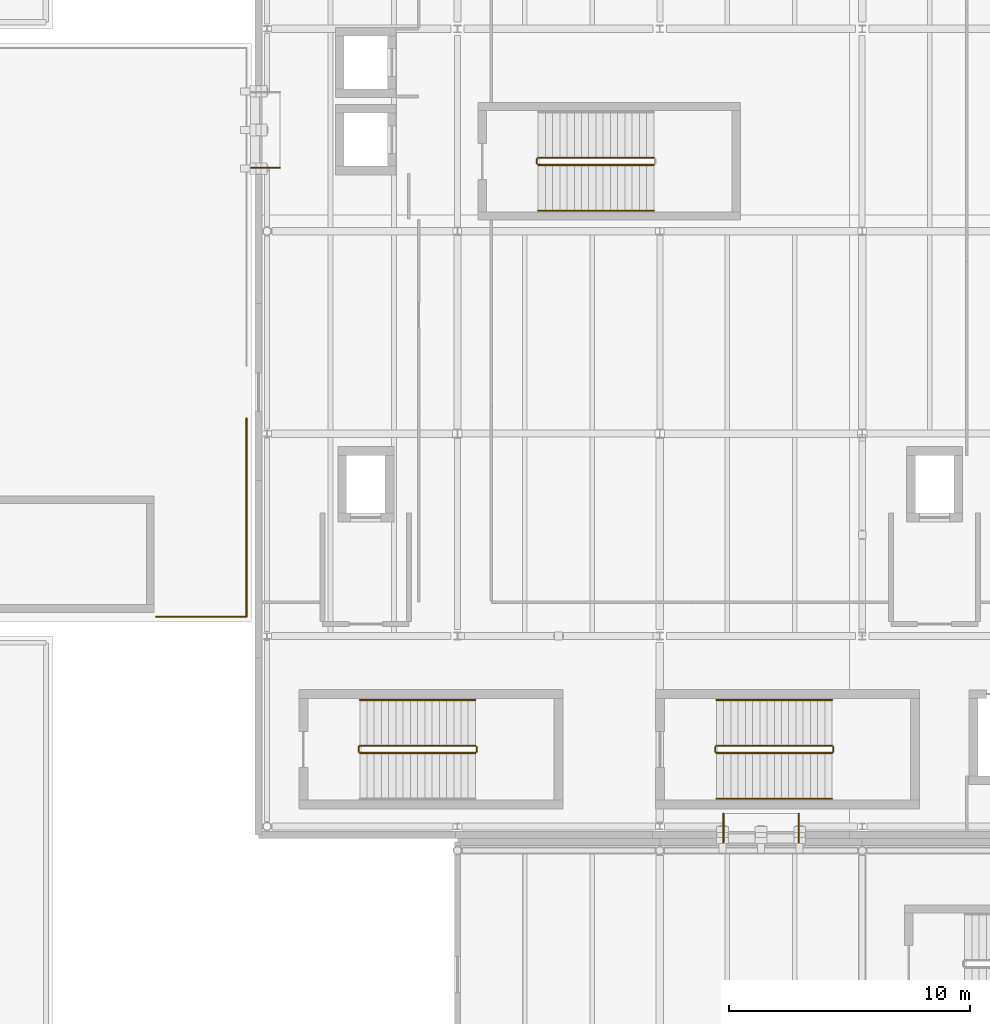
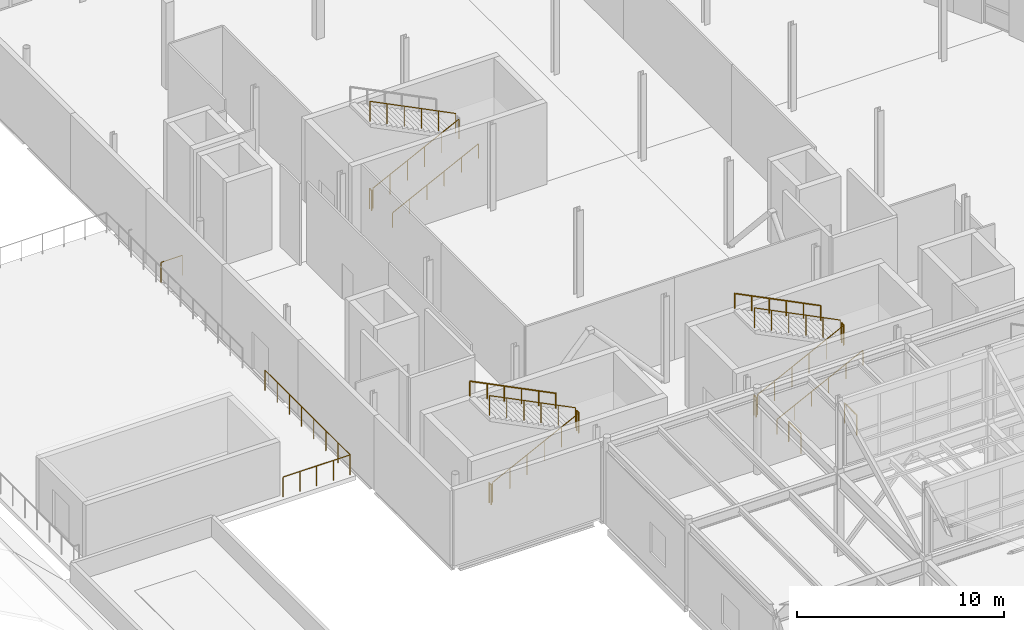
# One storey, part 84 of 91: 20 railings.
"""IFC4 building model written with IfcOpenShell, lengths in metres."""

from ifc_helpers import new_model, si_unit, direction, frame, origin, origin_2d, place, context, subcontext, project, spatial, circle, extrude, material, type_object, element, save


model = new_model("IFC4")

# Units and contexts
model_context = context("Model", 3, precision=1e-05, world=origin(), true_north=direction((0.0, 1.0)))
body_context = subcontext(model_context, "Body", "Model", "MODEL_VIEW")
ifc_project = project(units=[si_unit("LENGTHUNIT", "METRE"), si_unit("AREAUNIT", "SQUARE_METRE"), si_unit("VOLUMEUNIT", "CUBIC_METRE"), si_unit("PLANEANGLEUNIT", "RADIAN"), si_unit("MASSUNIT", "GRAM", prefix="KILO"), si_unit("THERMODYNAMICTEMPERATUREUNIT", "KELVIN")], contexts=[model_context])

# Site, building, storey
site_placement = place(None, origin())
site = spatial("IfcSite", under=ifc_project, at=site_placement, CompositionType="ELEMENT")
building_placement = place(site_placement, origin())
building = spatial("IfcBuilding", under=site, at=building_placement, Name="Lustrewick Department Store", CompositionType="ELEMENT")
storey_placement = place(building_placement, frame((0.0, 0.0, 21.60009765625)))
storey = spatial("IfcBuildingStorey", under=building, at=storey_placement, Name="L05", CompositionType="ELEMENT", Elevation=21.60009765625)

# Railings
ifc_material_1 = material(Name="Laminated safety glass and bronze atrium balustrade", Category="glass")
railing_type_1 = type_object("IfcRailingType", Name="RL-BAL", PredefinedType="BALUSTRADE", material=ifc_material_1)
railing_1_placement = place(storey_placement, frame((109.0400390625, 78.239990234375, 0.0)))
element("IfcRailing", 1, at=railing_1_placement, inside=storey, type_object=railing_type_1, Name="L05 Skybridge SB24 South Guard 0050", PredefinedType="BALUSTRADE", context=body_context, shape_type="SweptSolid", body=[
    extrude(circle(Radius=0.02392578125, at=origin_2d()), frame((0.0, 0.0, 1.17578125), z_axis=(1.0, 0.0, 0.0), x_axis=(0.0, 1.0, 0.0)), (0.0, 0.0, 1.0), 1.18994140625),
    extrude(circle(Radius=0.02099609375, at=origin_2d()), origin(), (0.0, 0.0, 1.0), 1.15185546875),
    extrude(circle(Radius=0.02099609375, at=origin_2d()), frame((1.18994140625, 0.0, 0.0)), (0.0, 0.0, 1.0), 1.15185546875),
])
for number, where, name in (
    (2, (128.639892578125, 50.239990234375, 0.0), "L05 Skybridge SB34 West Guard 0052"),
    (3, (131.760009765625, 50.239990234375, 0.0), "L05 Skybridge SB34 East Guard 0053"),
):
    element("IfcRailing", number, at=place(storey_placement, frame(where)), inside=storey, type_object=railing_type_1, Name=name, PredefinedType="BALUSTRADE", context=body_context, shape_type="SweptSolid", body=[
        extrude(circle(Radius=0.02392578125, at=origin_2d()), frame((0.0, 0.0, 1.17578125), z_axis=(0.0, 1.0, 0.0), x_axis=(-1.0, 0.0, 0.0)), (0.0, 0.0, 1.0), 1.18994140625),
        extrude(circle(Radius=0.02099609375, at=origin_2d()), origin(), (0.0, 0.0, 1.0), 1.15185546875),
        extrude(circle(Radius=0.02099609375, at=origin_2d()), frame((0.0, 1.18994140625, 0.0)), (0.0, 0.0, 1.0), 1.15185546875),
    ])
ifc_material_2 = material(Name="Laminated glass and anodized aluminium guardrail", Category="aluminium")
railing_type_2 = type_object("IfcRailingType", Name="RL-EXT", PredefinedType="GUARDRAIL", material=ifc_material_2)
railing_2_placement = place(storey_placement, frame((108.85009765625, 59.60009765625, 0.0)))
element("IfcRailing", 4, at=railing_2_placement, inside=storey, type_object=railing_type_2, Name="L05 Terrace Perimeter Guardrail 0003", PredefinedType="GUARDRAIL", context=body_context, shape_type="SweptSolid", body=[
    extrude(circle(Radius=0.02392578125, at=origin_2d()), frame((0.0, 0.0, 1.17578125), z_axis=(-1.0, 0.0, 0.0), x_axis=(0.0, -1.0, 0.0)), (0.0, 0.0, 1.0), 3.75),
    extrude(circle(Radius=0.02099609375, at=origin_2d()), origin(), (0.0, 0.0, 1.0), 1.15185546875),
    extrude(circle(Radius=0.02099609375, at=origin_2d()), frame((-0.9375, 0.0, 0.0)), (0.0, 0.0, 1.0), 1.15185546875),
    extrude(circle(Radius=0.02099609375, at=origin_2d()), frame((-1.875, 0.0, 0.0)), (0.0, 0.0, 1.0), 1.15185546875),
    extrude(circle(Radius=0.02099609375, at=origin_2d()), frame((-2.8125, 0.0, 0.0)), (0.0, 0.0, 1.0), 1.15185546875),
    extrude(circle(Radius=0.02099609375, at=origin_2d()), frame((-3.75, 0.0, 0.0)), (0.0, 0.0, 1.0), 1.15185546875),
])
railing_3_placement = place(storey_placement, frame((108.85009765625, 67.835693359375, 0.0)))
element("IfcRailing", 5, at=railing_3_placement, inside=storey, type_object=railing_type_2, Name="L05 Terrace Perimeter Guardrail 0005", PredefinedType="GUARDRAIL", context=body_context, shape_type="SweptSolid", body=[
    extrude(circle(Radius=0.02392578125, at=origin_2d()), frame((0.0, 0.0, 1.17578125), z_axis=(0.0, -1.0, 0.0), x_axis=(1.0, 0.0, 0.0)), (0.0, 0.0, 1.0), 8.235595703125),
    extrude(circle(Radius=0.02099609375, at=origin_2d()), origin(), (0.0, 0.0, 1.0), 1.15185546875),
    extrude(circle(Radius=0.02099609375, at=origin_2d()), frame((0.0, -1.176513671875, 0.0)), (0.0, 0.0, 1.0), 1.15185546875),
    extrude(circle(Radius=0.02099609375, at=origin_2d()), frame((0.0, -2.35302734375, 0.0)), (0.0, 0.0, 1.0), 1.15185546875),
    extrude(circle(Radius=0.02099609375, at=origin_2d()), frame((0.0, -3.529541015625, 0.0)), (0.0, 0.0, 1.0), 1.15185546875),
    extrude(circle(Radius=0.02099609375, at=origin_2d()), frame((0.0, -4.7060546875, 0.0)), (0.0, 0.0, 1.0), 1.15185546875),
    extrude(circle(Radius=0.02099609375, at=origin_2d()), frame((0.0, -5.882568359375, 0.0)), (0.0, 0.0, 1.0), 1.15185546875),
    extrude(circle(Radius=0.02099609375, at=origin_2d()), frame((0.0, -7.05908203125, 0.0)), (0.0, 0.0, 1.0), 1.15185546875),
    extrude(circle(Radius=0.02099609375, at=origin_2d()), frame((0.0, -8.235595703125, 0.0)), (0.0, 0.0, 1.0), 1.15185546875),
])
ifc_material_3 = material(Name="Painted tubular steel stairwell guardrail", Category="steel")
railing_type_3 = type_object("IfcRailingType", Name="RL-STG", PredefinedType="GUARDRAIL", material=ifc_material_3)
railing_4_placement = place(storey_placement, frame((113.550048828125, 53.949951171875, 0.14990234375)))
element("IfcRailing", 6, at=railing_4_placement, inside=storey, type_object=railing_type_3, Name="L05 ST09 Stair Guard 1", PredefinedType="GUARDRAIL", context=body_context, shape_type="SweptSolid", body=[
    extrude(circle(Radius=0.02392578125, at=origin_2d()), frame((0.0, 0.0, 1.17578125), z_axis=(0.894436289399, 0.0, 0.44719539824), x_axis=(0.0, 1.0, 0.0)), (0.0, 0.0, 1.0), 5.366455078125),
    extrude(circle(Radius=0.02099609375, at=origin_2d()), origin(), (0.0, 0.0, 1.0), 1.15185546875),
    extrude(circle(Radius=0.02099609375, at=origin_2d()), frame((0.9599609375, 0.0, 0.47998046875)), (0.0, 0.0, 1.0), 1.15185546875),
    extrude(circle(Radius=0.02099609375, at=origin_2d()), frame((1.919921875, 0.0, 0.9599609375)), (0.0, 0.0, 1.0), 1.15185546875),
    extrude(circle(Radius=0.02099609375, at=origin_2d()), frame((2.880126953125, 0.0, 1.43994140625)), (0.0, 0.0, 1.0), 1.15185546875),
    extrude(circle(Radius=0.02099609375, at=origin_2d()), frame((3.840087890625, 0.0, 1.919921875)), (0.0, 0.0, 1.0), 1.15185546875),
    extrude(circle(Radius=0.02099609375, at=origin_2d()), frame((4.800048828125, 0.0, 2.39990234375)), (0.0, 0.0, 1.0), 1.15185546875),
])
railing_5_placement = place(storey_placement, frame((118.39990234375, 54.0, 2.5498046875)))
element("IfcRailing", 7, at=railing_5_placement, inside=storey, type_object=railing_type_3, Name="L05 ST09 Stair Guard 2", PredefinedType="GUARDRAIL", context=body_context, shape_type="SweptSolid", body=[
    extrude(circle(Radius=0.02392578125, at=origin_2d()), frame((0.0, 0.0, 1.17578125), z_axis=(0.0, 1.0, 0.0), x_axis=(-1.0, 0.0, 0.0)), (0.0, 0.0, 1.0), 0.199951171875),
    extrude(circle(Radius=0.02099609375, at=origin_2d()), origin(), (0.0, 0.0, 1.0), 1.15185546875),
    extrude(circle(Radius=0.02099609375, at=origin_2d()), frame((0.0, 0.199951171875, 0.0)), (0.0, 0.0, 1.0), 1.15185546875),
])
railing_6_placement = place(storey_placement, frame((118.35009765625, 54.25, 2.699951171875)))
element("IfcRailing", 8, at=railing_6_placement, inside=storey, type_object=railing_type_3, Name="L05 ST09 Stair Guard 3", PredefinedType="GUARDRAIL", context=body_context, shape_type="SweptSolid", body=[
    extrude(circle(Radius=0.02392578125, at=origin_2d()), frame((0.0, 0.0, 1.17578125), z_axis=(-0.894436289399, 0.0, 0.44719539824), x_axis=(0.0, -1.0, 0.0)), (0.0, 0.0, 1.0), 5.366455078125),
    extrude(circle(Radius=0.02099609375, at=origin_2d()), origin(), (0.0, 0.0, 1.0), 1.15185546875),
    extrude(circle(Radius=0.02099609375, at=origin_2d()), frame((-0.9599609375, 0.0, 0.47998046875)), (0.0, 0.0, 1.0), 1.15185546875),
    extrude(circle(Radius=0.02099609375, at=origin_2d()), frame((-1.919921875, 0.0, 0.9599609375)), (0.0, 0.0, 1.0), 1.15185546875),
    extrude(circle(Radius=0.02099609375, at=origin_2d()), frame((-2.880126953125, 0.0, 1.43994140625)), (0.0, 0.0, 1.0), 1.15185546875),
    extrude(circle(Radius=0.02099609375, at=origin_2d()), frame((-3.840087890625, 0.0, 1.919921875)), (0.0, 0.0, 1.0), 1.15185546875),
    extrude(circle(Radius=0.02099609375, at=origin_2d()), frame((-4.800048828125, 0.0, 2.39990234375)), (0.0, 0.0, 1.0), 1.15185546875),
])
railing_7_placement = place(storey_placement, frame((113.5, 54.0, 0.0)))
element("IfcRailing", 9, at=railing_7_placement, inside=storey, type_object=railing_type_3, Name="L05 ST09 Stair Guard 4", PredefinedType="GUARDRAIL", context=body_context, shape_type="SweptSolid", body=[
    extrude(circle(Radius=0.02392578125, at=origin_2d()), frame((0.0, 0.0, 1.17578125), z_axis=(0.0, 1.0, 0.0), x_axis=(-1.0, 0.0, 0.0)), (0.0, 0.0, 1.0), 0.199951171875),
    extrude(circle(Radius=0.02099609375, at=origin_2d()), origin(), (0.0, 0.0, 1.0), 1.15185546875),
    extrude(circle(Radius=0.02099609375, at=origin_2d()), frame((0.0, 0.199951171875, 0.0)), (0.0, 0.0, 1.0), 1.15185546875),
])
railing_8_placement = place(storey_placement, frame((120.949951171875, 78.35009765625, 0.14990234375)))
element("IfcRailing", 10, at=railing_8_placement, inside=storey, type_object=railing_type_3, Name="L05 ST10 Stair Guard 1", PredefinedType="GUARDRAIL", context=body_context, shape_type="SweptSolid", body=[
    extrude(circle(Radius=0.02392578125, at=origin_2d()), frame((0.0, 0.0, 1.17578125), z_axis=(0.894436289399, 0.0, 0.44719539824), x_axis=(0.0, 1.0, 0.0)), (0.0, 0.0, 1.0), 5.366455078125),
    extrude(circle(Radius=0.02099609375, at=origin_2d()), origin(), (0.0, 0.0, 1.0), 1.15185546875),
    extrude(circle(Radius=0.02099609375, at=origin_2d()), frame((0.9599609375, 0.0, 0.47998046875)), (0.0, 0.0, 1.0), 1.15185546875),
    extrude(circle(Radius=0.02099609375, at=origin_2d()), frame((1.919921875, 0.0, 0.9599609375)), (0.0, 0.0, 1.0), 1.15185546875),
    extrude(circle(Radius=0.02099609375, at=origin_2d()), frame((2.880126953125, 0.0, 1.43994140625)), (0.0, 0.0, 1.0), 1.15185546875),
    extrude(circle(Radius=0.02099609375, at=origin_2d()), frame((3.840087890625, 0.0, 1.919921875)), (0.0, 0.0, 1.0), 1.15185546875),
    extrude(circle(Radius=0.02099609375, at=origin_2d()), frame((4.800048828125, 0.0, 2.39990234375)), (0.0, 0.0, 1.0), 1.15185546875),
])
railing_9_placement = place(storey_placement, frame((125.75, 78.64990234375, 2.699951171875)))
element("IfcRailing", 11, at=railing_9_placement, inside=storey, type_object=railing_type_3, Name="L05 ST10 Stair Guard 3", PredefinedType="GUARDRAIL", context=body_context, shape_type="SweptSolid", body=[
    extrude(circle(Radius=0.02392578125, at=origin_2d()), frame((0.0, 0.0, 1.17578125), z_axis=(-0.894436289399, 0.0, 0.44719539824), x_axis=(0.0, -1.0, 0.0)), (0.0, 0.0, 1.0), 5.366455078125),
    extrude(circle(Radius=0.02099609375, at=origin_2d()), origin(), (0.0, 0.0, 1.0), 1.15185546875),
    extrude(circle(Radius=0.02099609375, at=origin_2d()), frame((-0.9599609375, 0.0, 0.47998046875)), (0.0, 0.0, 1.0), 1.15185546875),
    extrude(circle(Radius=0.02099609375, at=origin_2d()), frame((-1.919921875, 0.0, 0.9599609375)), (0.0, 0.0, 1.0), 1.15185546875),
    extrude(circle(Radius=0.02099609375, at=origin_2d()), frame((-2.880126953125, 0.0, 1.43994140625)), (0.0, 0.0, 1.0), 1.15185546875),
    extrude(circle(Radius=0.02099609375, at=origin_2d()), frame((-3.840087890625, 0.0, 1.919921875)), (0.0, 0.0, 1.0), 1.15185546875),
    extrude(circle(Radius=0.02099609375, at=origin_2d()), frame((-4.800048828125, 0.0, 2.39990234375)), (0.0, 0.0, 1.0), 1.15185546875),
])
railing_10_placement = place(storey_placement, frame((120.89990234375, 78.39990234375, 0.0)))
element("IfcRailing", 12, at=railing_10_placement, inside=storey, type_object=railing_type_3, Name="L05 ST10 Stair Guard 4", PredefinedType="GUARDRAIL", context=body_context, shape_type="SweptSolid", body=[
    extrude(circle(Radius=0.02392578125, at=origin_2d()), frame((0.0, 0.0, 1.17578125), z_axis=(0.0, 1.0, 0.0), x_axis=(-1.0, 0.0, 0.0)), (0.0, 0.0, 1.0), 0.2001953125),
    extrude(circle(Radius=0.02099609375, at=origin_2d()), origin(), (0.0, 0.0, 1.0), 1.15185546875),
    extrude(circle(Radius=0.02099609375, at=origin_2d()), frame((0.0, 0.2001953125, 0.0)), (0.0, 0.0, 1.0), 1.15185546875),
])
railing_11_placement = place(storey_placement, frame((128.35009765625, 53.949951171875, 0.14990234375)))
element("IfcRailing", 13, at=railing_11_placement, inside=storey, type_object=railing_type_3, Name="L05 ST11 Stair Guard 1", PredefinedType="GUARDRAIL", context=body_context, shape_type="SweptSolid", body=[
    extrude(circle(Radius=0.02392578125, at=origin_2d()), frame((0.0, 0.0, 1.17578125), z_axis=(0.894427191, 0.0, 0.4472135955), x_axis=(0.0, 1.0, 0.0)), (0.0, 0.0, 1.0), 5.366455078125),
    extrude(circle(Radius=0.02099609375, at=origin_2d()), origin(), (0.0, 0.0, 1.0), 1.15185546875),
    extrude(circle(Radius=0.02099609375, at=origin_2d()), frame((0.9599609375, 0.0, 0.47998046875)), (0.0, 0.0, 1.0), 1.15185546875),
    extrude(circle(Radius=0.02099609375, at=origin_2d()), frame((1.919921875, 0.0, 0.9599609375)), (0.0, 0.0, 1.0), 1.15185546875),
    extrude(circle(Radius=0.02099609375, at=origin_2d()), frame((2.8798828125, 0.0, 1.43994140625)), (0.0, 0.0, 1.0), 1.15185546875),
    extrude(circle(Radius=0.02099609375, at=origin_2d()), frame((3.83984375, 0.0, 1.919921875)), (0.0, 0.0, 1.0), 1.15185546875),
    extrude(circle(Radius=0.02099609375, at=origin_2d()), frame((4.7998046875, 0.0, 2.39990234375)), (0.0, 0.0, 1.0), 1.15185546875),
])
railing_12_placement = place(storey_placement, frame((133.199951171875, 54.0, 2.5498046875)))
element("IfcRailing", 14, at=railing_12_placement, inside=storey, type_object=railing_type_3, Name="L05 ST11 Stair Guard 2", PredefinedType="GUARDRAIL", context=body_context, shape_type="SweptSolid", body=[
    extrude(circle(Radius=0.02392578125, at=origin_2d()), frame((0.0, 0.0, 1.17578125), z_axis=(0.0, 1.0, 0.0), x_axis=(-1.0, 0.0, 0.0)), (0.0, 0.0, 1.0), 0.199951171875),
    extrude(circle(Radius=0.02099609375, at=origin_2d()), origin(), (0.0, 0.0, 1.0), 1.15185546875),
    extrude(circle(Radius=0.02099609375, at=origin_2d()), frame((0.0, 0.199951171875, 0.0)), (0.0, 0.0, 1.0), 1.15185546875),
])
railing_13_placement = place(storey_placement, frame((133.14990234375, 54.25, 2.699951171875)))
element("IfcRailing", 15, at=railing_13_placement, inside=storey, type_object=railing_type_3, Name="L05 ST11 Stair Guard 3", PredefinedType="GUARDRAIL", context=body_context, shape_type="SweptSolid", body=[
    extrude(circle(Radius=0.02392578125, at=origin_2d()), frame((0.0, 0.0, 1.17578125), z_axis=(-0.894427191, 0.0, 0.4472135955), x_axis=(0.0, -1.0, 0.0)), (0.0, 0.0, 1.0), 5.366455078125),
    extrude(circle(Radius=0.02099609375, at=origin_2d()), origin(), (0.0, 0.0, 1.0), 1.15185546875),
    extrude(circle(Radius=0.02099609375, at=origin_2d()), frame((-0.9599609375, 0.0, 0.47998046875)), (0.0, 0.0, 1.0), 1.15185546875),
    extrude(circle(Radius=0.02099609375, at=origin_2d()), frame((-1.919921875, 0.0, 0.9599609375)), (0.0, 0.0, 1.0), 1.15185546875),
    extrude(circle(Radius=0.02099609375, at=origin_2d()), frame((-2.8798828125, 0.0, 1.43994140625)), (0.0, 0.0, 1.0), 1.15185546875),
    extrude(circle(Radius=0.02099609375, at=origin_2d()), frame((-3.83984375, 0.0, 1.919921875)), (0.0, 0.0, 1.0), 1.15185546875),
    extrude(circle(Radius=0.02099609375, at=origin_2d()), frame((-4.7998046875, 0.0, 2.39990234375)), (0.0, 0.0, 1.0), 1.15185546875),
])
railing_14_placement = place(storey_placement, frame((128.300048828125, 54.0, 0.0)))
element("IfcRailing", 16, at=railing_14_placement, inside=storey, type_object=railing_type_3, Name="L05 ST11 Stair Guard 4", PredefinedType="GUARDRAIL", context=body_context, shape_type="SweptSolid", body=[
    extrude(circle(Radius=0.02392578125, at=origin_2d()), frame((0.0, 0.0, 1.17578125), z_axis=(0.0, 1.0, 0.0), x_axis=(-1.0, 0.0, 0.0)), (0.0, 0.0, 1.0), 0.199951171875),
    extrude(circle(Radius=0.02099609375, at=origin_2d()), origin(), (0.0, 0.0, 1.0), 1.15185546875),
    extrude(circle(Radius=0.02099609375, at=origin_2d()), frame((0.0, 0.199951171875, 0.0)), (0.0, 0.0, 1.0), 1.15185546875),
])
ifc_material_4 = material(Name="Brushed stainless steel wall handrail", Category="steel")
railing_type_4 = type_object("IfcRailingType", Name="RL-STH", PredefinedType="HANDRAIL", material=ifc_material_4)
railing_15_placement = place(storey_placement, frame((118.35009765625, 56.14990234375, 2.699951171875)))
element("IfcRailing", 17, at=railing_15_placement, inside=storey, type_object=railing_type_4, Name="L05 ST09 Stair Handrail 2", PredefinedType="HANDRAIL", context=body_context, shape_type="SweptSolid", body=[
    extrude(circle(Radius=0.02392578125, at=origin_2d()), frame((0.0, 0.0, 0.8759765625), z_axis=(-0.894436289399, 0.0, 0.44719539824), x_axis=(0.0, -1.0, 0.0)), (0.0, 0.0, 1.0), 5.366455078125),
    extrude(circle(Radius=0.02099609375, at=origin_2d()), origin(), (0.0, 0.0, 1.0), 0.851806640625),
    extrude(circle(Radius=0.02099609375, at=origin_2d()), frame((-0.9599609375, 0.0, 0.47998046875)), (0.0, 0.0, 1.0), 0.851806640625),
    extrude(circle(Radius=0.02099609375, at=origin_2d()), frame((-1.919921875, 0.0, 0.9599609375)), (0.0, 0.0, 1.0), 0.851806640625),
    extrude(circle(Radius=0.02099609375, at=origin_2d()), frame((-2.880126953125, 0.0, 1.43994140625)), (0.0, 0.0, 1.0), 0.851806640625),
    extrude(circle(Radius=0.02099609375, at=origin_2d()), frame((-3.840087890625, 0.0, 1.919921875)), (0.0, 0.0, 1.0), 0.851806640625),
    extrude(circle(Radius=0.02099609375, at=origin_2d()), frame((-4.800048828125, 0.0, 2.39990234375)), (0.0, 0.0, 1.0), 0.851806640625),
])
railing_16_placement = place(storey_placement, frame((120.949951171875, 76.449951171875, 0.14990234375)))
element("IfcRailing", 18, at=railing_16_placement, inside=storey, type_object=railing_type_4, Name="L05 ST10 Stair Handrail 1", PredefinedType="HANDRAIL", context=body_context, shape_type="SweptSolid", body=[
    extrude(circle(Radius=0.02392578125, at=origin_2d()), frame((0.0, 0.0, 0.8759765625), z_axis=(0.894436289399, 0.0, 0.44719539824), x_axis=(0.0, 1.0, 0.0)), (0.0, 0.0, 1.0), 5.366455078125),
    extrude(circle(Radius=0.02099609375, at=origin_2d()), origin(), (0.0, 0.0, 1.0), 0.851806640625),
    extrude(circle(Radius=0.02099609375, at=origin_2d()), frame((0.9599609375, 0.0, 0.47998046875)), (0.0, 0.0, 1.0), 0.851806640625),
    extrude(circle(Radius=0.02099609375, at=origin_2d()), frame((1.919921875, 0.0, 0.9599609375)), (0.0, 0.0, 1.0), 0.851806640625),
    extrude(circle(Radius=0.02099609375, at=origin_2d()), frame((2.880126953125, 0.0, 1.43994140625)), (0.0, 0.0, 1.0), 0.851806640625),
    extrude(circle(Radius=0.02099609375, at=origin_2d()), frame((3.840087890625, 0.0, 1.919921875)), (0.0, 0.0, 1.0), 0.851806640625),
    extrude(circle(Radius=0.02099609375, at=origin_2d()), frame((4.800048828125, 0.0, 2.39990234375)), (0.0, 0.0, 1.0), 0.851806640625),
])
railing_17_placement = place(storey_placement, frame((128.35009765625, 52.050048828125, 0.14990234375)))
element("IfcRailing", 19, at=railing_17_placement, inside=storey, type_object=railing_type_4, Name="L05 ST11 Stair Handrail 1", PredefinedType="HANDRAIL", context=body_context, shape_type="SweptSolid", body=[
    extrude(circle(Radius=0.02392578125, at=origin_2d()), frame((0.0, 0.0, 0.8759765625), z_axis=(0.894427191, 0.0, 0.4472135955), x_axis=(0.0, 1.0, 0.0)), (0.0, 0.0, 1.0), 5.366455078125),
    extrude(circle(Radius=0.02099609375, at=origin_2d()), origin(), (0.0, 0.0, 1.0), 0.851806640625),
    extrude(circle(Radius=0.02099609375, at=origin_2d()), frame((0.9599609375, 0.0, 0.47998046875)), (0.0, 0.0, 1.0), 0.851806640625),
    extrude(circle(Radius=0.02099609375, at=origin_2d()), frame((1.919921875, 0.0, 0.9599609375)), (0.0, 0.0, 1.0), 0.851806640625),
    extrude(circle(Radius=0.02099609375, at=origin_2d()), frame((2.8798828125, 0.0, 1.43994140625)), (0.0, 0.0, 1.0), 0.851806640625),
    extrude(circle(Radius=0.02099609375, at=origin_2d()), frame((3.83984375, 0.0, 1.919921875)), (0.0, 0.0, 1.0), 0.851806640625),
    extrude(circle(Radius=0.02099609375, at=origin_2d()), frame((4.7998046875, 0.0, 2.39990234375)), (0.0, 0.0, 1.0), 0.851806640625),
])
railing_18_placement = place(storey_placement, frame((133.14990234375, 56.14990234375, 2.699951171875)))
element("IfcRailing", 20, at=railing_18_placement, inside=storey, type_object=railing_type_4, Name="L05 ST11 Stair Handrail 2", PredefinedType="HANDRAIL", context=body_context, shape_type="SweptSolid", body=[
    extrude(circle(Radius=0.02392578125, at=origin_2d()), frame((0.0, 0.0, 0.8759765625), z_axis=(-0.894427191, 0.0, 0.4472135955), x_axis=(0.0, -1.0, 0.0)), (0.0, 0.0, 1.0), 5.366455078125),
    extrude(circle(Radius=0.02099609375, at=origin_2d()), origin(), (0.0, 0.0, 1.0), 0.851806640625),
    extrude(circle(Radius=0.02099609375, at=origin_2d()), frame((-0.9599609375, 0.0, 0.47998046875)), (0.0, 0.0, 1.0), 0.851806640625),
    extrude(circle(Radius=0.02099609375, at=origin_2d()), frame((-1.919921875, 0.0, 0.9599609375)), (0.0, 0.0, 1.0), 0.851806640625),
    extrude(circle(Radius=0.02099609375, at=origin_2d()), frame((-2.8798828125, 0.0, 1.43994140625)), (0.0, 0.0, 1.0), 0.851806640625),
    extrude(circle(Radius=0.02099609375, at=origin_2d()), frame((-3.83984375, 0.0, 1.919921875)), (0.0, 0.0, 1.0), 0.851806640625),
    extrude(circle(Radius=0.02099609375, at=origin_2d()), frame((-4.7998046875, 0.0, 2.39990234375)), (0.0, 0.0, 1.0), 0.851806640625),
])

save(model, "model.ifc")
